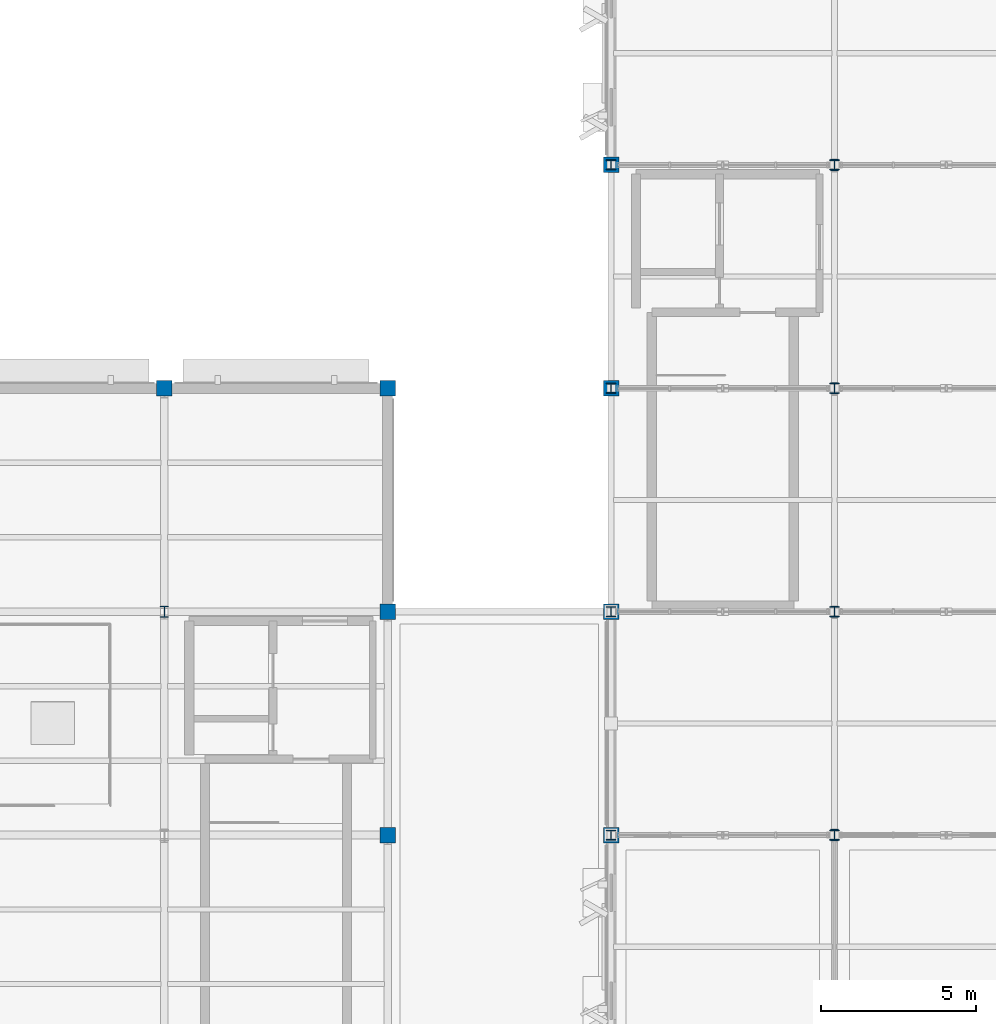
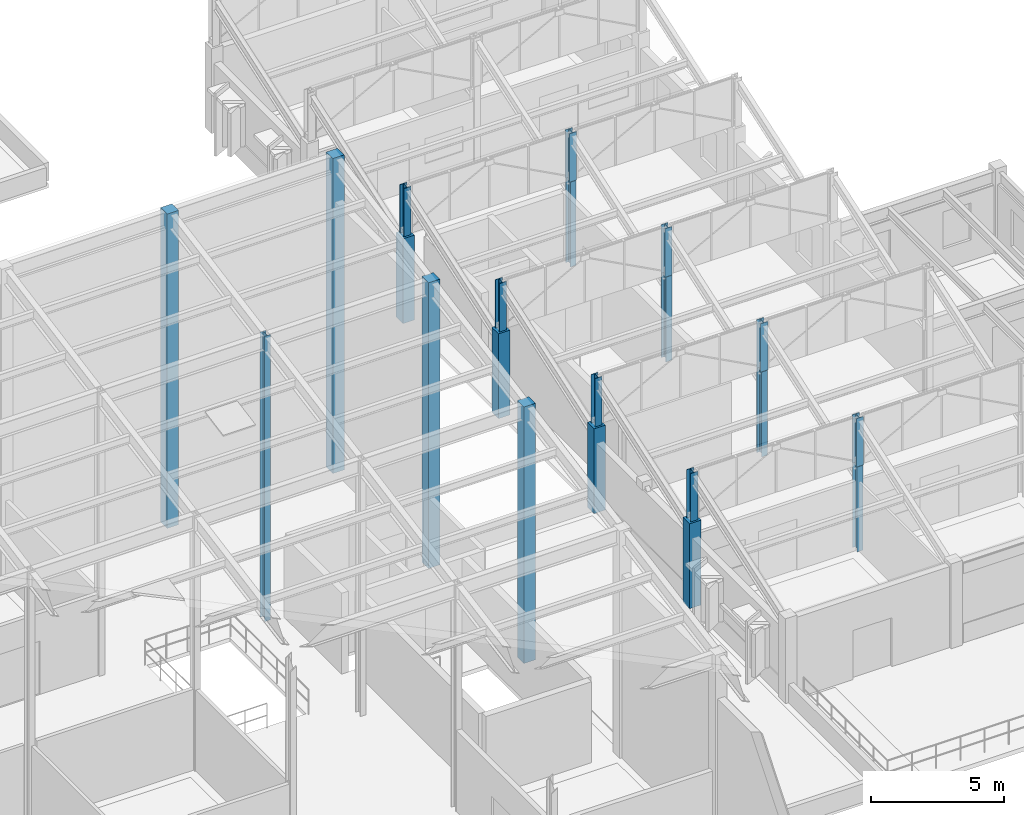
# One storey, part 7 of 82: 21 columns.
"""IFC4 building model written with IfcOpenShell, lengths in metres."""

import ifcopenshell
import ifcopenshell.guid

model = None  # the IFC model being written
_history = None  # IfcOwnerHistory: only IFC2X3 demands one
_inside = {}  # id of a spatial element -> (the spatial element, [elements in it])
_under = {}  # id of a project, library or spatial element -> (it, [spatial elements below it])
_declared = {}  # id of a project -> (the project, [libraries it declares])
_typed = {}  # id of a type object -> (the type object, [elements of that type])
_made_of = {}  # id of a material, layer set ... -> (it, [elements and type objects made of it])


def new_model(schema):
    """Start an empty IFC model of exactly this schema.

    Asked for "IFC4X3", IfcOpenShell would pick the latest addendum, in which some entities
    have other attributes; the version numbers below select the first issue.
    IFC2X3 requires an IfcOwnerHistory on every rooted entity: one is made here for all.
    """
    global model, _history
    if schema == "IFC4X3":
        model = ifcopenshell.file(schema_version=(4, 3, 0, 0))
    else:
        model = ifcopenshell.file(schema=schema)
    _inside.clear()
    _under.clear()
    _declared.clear()
    _typed.clear()
    _made_of.clear()
    _history = None
    if model.schema == "IFC2X3":
        org = make("IfcOrganization", Name="unknown")
        user = make(
            "IfcPersonAndOrganization",
            ThePerson=make("IfcPerson", FamilyName="unknown"),
            TheOrganization=org,
        )
        app = make(
            "IfcApplication",
            ApplicationDeveloper=org,
            Version="unknown",
            ApplicationFullName="unknown",
            ApplicationIdentifier="unknown",
        )
        _history = make(
            "IfcOwnerHistory",
            OwningUser=user,
            OwningApplication=app,
            ChangeAction="ADDED",
            CreationDate=0,
        )
    return model


def make(cls, **values):
    """One entity of the class cls with the attributes given. An attribute that is None is left unset."""
    return model.create_entity(
        cls, **{name: value for name, value in values.items() if value is not None}
    )


def rooted(cls, **values):
    """An entity with a GlobalId (a new one), such as an element, a storey or a relation."""
    return make(cls, GlobalId=ifcopenshell.guid.new(), OwnerHistory=_history, **values)


def si_unit(unit_type, name, prefix=None):
    """IfcSIUnit, for example si_unit("LENGTHUNIT", "METRE", prefix="MILLI")."""
    return make("IfcSIUnit", UnitType=unit_type, Prefix=prefix, Name=name)


def assignment(units):
    """IfcUnitAssignment: the units of a project."""
    return None if units is None else make("IfcUnitAssignment", Units=units)


def point(xyz):
    """IfcCartesianPoint."""
    return None if xyz is None else make("IfcCartesianPoint", Coordinates=xyz)


def direction(xyz):
    """IfcDirection."""
    return None if xyz is None else make("IfcDirection", DirectionRatios=xyz)


def frame(location, z_axis=None, x_axis=None):
    """IfcAxis2Placement3D, a coordinate frame: its origin and axes. An axis left out is left unset."""
    return make(
        "IfcAxis2Placement3D",
        Location=point(location),
        Axis=direction(z_axis),
        RefDirection=direction(x_axis),
    )


def frame_2d(location, x_axis=None):
    """IfcAxis2Placement2D, a coordinate frame in the plane: its origin and x axis."""
    return make(
        "IfcAxis2Placement2D", Location=point(location), RefDirection=direction(x_axis)
    )


def origin():
    """The frame at (0, 0, 0) with its axes left unset."""
    return frame((0.0, 0.0, 0.0))


def origin_2d():
    """The frame at (0, 0) in the plane with its x axis left unset."""
    return frame_2d((0.0, 0.0))


def place(relative_to, where):
    """IfcLocalPlacement: puts the frame where relative to a parent placement (None: the world)."""
    return make(
        "IfcLocalPlacement", PlacementRelTo=relative_to, RelativePlacement=where
    )


def context(
    kind, dimensions, precision=None, world=None, true_north=None, identifier=None
):
    """IfcGeometricRepresentationContext, for example the 3D "Model" context."""
    return make(
        "IfcGeometricRepresentationContext",
        ContextIdentifier=identifier,
        ContextType=kind,
        CoordinateSpaceDimension=dimensions,
        Precision=precision,
        WorldCoordinateSystem=world,
        TrueNorth=true_north,
    )


def subcontext(parent, identifier, kind, view, scale=None):
    """IfcGeometricRepresentationSubContext, for example "Body" below "Model"."""
    return make(
        "IfcGeometricRepresentationSubContext",
        ContextIdentifier=identifier,
        ContextType=kind,
        ParentContext=parent,
        TargetScale=scale,
        TargetView=view,
    )


def project(units=None, contexts=None):
    """IfcProject with its units and contexts."""
    return rooted(
        "IfcProject",
        Name="project",
        RepresentationContexts=contexts,
        UnitsInContext=assignment(units),
    )


def spatial(cls, under=None, at=None, **own):
    """A site, building, storey or space (cls), placed at a placement, below another one or the project."""
    s = rooted(cls, ObjectPlacement=at, **own)
    if under is not None:
        _under.setdefault(under.id(), (under, []))[1].append(s)
    return s


def profile(cls, at=None, kind="AREA", **sizes):
    """A parametric profile (cls). Its sizes go by their IFC names, for example OverallWidth=200.0."""
    return make(cls, ProfileType=kind, Position=at, **sizes)


def rectangle(**sizes):
    """IfcRectangleProfileDef."""
    return profile("IfcRectangleProfileDef", **sizes)


def i_section(**sizes):
    """IfcIShapeProfileDef."""
    return profile("IfcIShapeProfileDef", **sizes)


def extrude(swept, where, along, depth):
    """IfcExtrudedAreaSolid: the profile swept, set in the frame where, extruded along a direction by depth."""
    return make(
        "IfcExtrudedAreaSolid",
        SweptArea=swept,
        Position=where,
        ExtrudedDirection=direction(along),
        Depth=depth,
    )


def shape(context_of_items, identifier, shape_type, items):
    """IfcShapeRepresentation: the items that make up one representation, for example the "Body"."""
    return make(
        "IfcShapeRepresentation",
        ContextOfItems=context_of_items,
        RepresentationIdentifier=identifier,
        RepresentationType=shape_type,
        Items=items,
    )


def material(Name=None, Category=None):
    """IfcMaterial."""
    return make("IfcMaterial", Name=Name, Category=Category)


def material_profile(
    of_material, cross_section, Name=None, Category=None, Priority=None
):
    """IfcMaterialProfile: a cross section and its material."""
    return make(
        "IfcMaterialProfile",
        Name=Name,
        Material=of_material,
        Profile=cross_section,
        Priority=Priority,
        Category=Category,
    )


def profile_set(profiles, Name=None, composite=None):
    """IfcMaterialProfileSet."""
    return make(
        "IfcMaterialProfileSet",
        Name=Name,
        MaterialProfiles=profiles,
        CompositeProfile=composite,
    )


def made_of(thing, what):
    """Note that an element or type object is made of a material, layer set ...; save() writes the relation."""
    if what is not None:
        _made_of.setdefault(what.id(), (what, []))[1].append(thing)
    return thing


def type_object(cls, material=None, **own):
    """A type object (cls), such as IfcWallType, which elements share."""
    return made_of(rooted(cls, **own), material)


def element(
    cls,
    number,
    at=None,
    inside=None,
    cuts=None,
    type_object=None,
    material=None,
    context=None,
    identifier="Body",
    shape_type=None,
    held_by="IfcProductDefinitionShape",
    body=None,
    shapes=None,
    **own,
):
    """One element of the class cls, such as IfcWall. Its Tag is "e" and its number.

    at: its placement. inside: the storey or other place that contains it. cuts: it is an
    opening in that element (IfcRelVoidsElement). A single representation is given by context,
    identifier, shape_type and body (its items); several are given by shapes. held_by: the class
    of the entity that holds the representations. save() writes the other relations.
    """
    e = rooted(cls, Tag="e%d" % number, ObjectPlacement=at, **own)
    if body is not None:
        shapes = [shape(context, identifier, shape_type, body)]
    if shapes is not None:
        e.Representation = make(held_by, Representations=shapes)
    if inside is not None:
        _inside.setdefault(inside.id(), (inside, []))[1].append(e)
    if cuts is not None:
        rooted(
            "IfcRelVoidsElement", RelatingBuildingElement=cuts, RelatedOpeningElement=e
        )
    if type_object is not None:
        _typed.setdefault(type_object.id(), (type_object, []))[1].append(e)
    return made_of(e, material)


def aggregate(whole, parts):
    """IfcRelAggregates: a whole, such as a stair, and the parts it consists of."""
    return rooted("IfcRelAggregates", RelatingObject=whole, RelatedObjects=parts)


def save(model, path):
    """Write the relations noted so far, then the file.

    IfcRelAggregates (storeys below a building ...), IfcRelContainedInSpatialStructure (elements
    in a storey), IfcRelDefinesByType, IfcRelAssociatesMaterial and IfcRelDeclares: one each for
    every whole, place, type object, material and project.
    """
    for whole, parts in _under.values():
        aggregate(whole, parts)
    for where, things in _inside.values():
        rooted(
            "IfcRelContainedInSpatialStructure",
            RelatedElements=things,
            RelatingStructure=where,
        )
    for kind, things in _typed.values():
        rooted("IfcRelDefinesByType", RelatedObjects=things, RelatingType=kind)
    for what, things in _made_of.values():
        rooted("IfcRelAssociatesMaterial", RelatedObjects=things, RelatingMaterial=what)
    for by, libraries in _declared.values():
        rooted("IfcRelDeclares", RelatingContext=by, RelatedDefinitions=libraries)
    model.write(path)


model = new_model("IFC4")

# Units and contexts
model_context = context("Model", 3, precision=1e-05, world=origin(), true_north=direction((0.0, 1.0)))
body_context = subcontext(model_context, "Body", "Model", "MODEL_VIEW")
ifc_project = project(units=[si_unit("LENGTHUNIT", "METRE"), si_unit("AREAUNIT", "SQUARE_METRE"), si_unit("VOLUMEUNIT", "CUBIC_METRE"), si_unit("PLANEANGLEUNIT", "RADIAN"), si_unit("MASSUNIT", "GRAM", prefix="KILO")], contexts=[model_context])

# Site, building, storey
site_placement = place(None, origin())
site = spatial("IfcSite", under=ifc_project, at=site_placement, CompositionType="ELEMENT")
building_placement = place(site_placement, origin())
building = spatial("IfcBuilding", under=site, at=building_placement, Name="Sillqori Civic Hall", CompositionType="ELEMENT")
storey_placement = place(building_placement, frame((0.0, 0.0, 14.10009765625)))
storey = spatial("IfcBuildingStorey", under=building, at=storey_placement, Name="L04", CompositionType="ELEMENT", Elevation=14.10009765625)

# Columns
ifc_material_1 = material(Name="Concrete C35/45 (H35)", Category="concrete")
ifc_material_profile_1 = material_profile(ifc_material_1, rectangle(XDim=0.5, YDim=0.5, at=origin_2d()), Name="RC 500x500")
ifc_profile_set_1 = profile_set([ifc_material_profile_1], Name="Concrete C35/45 (H35)")
column_type_1 = type_object("IfcColumnType", Name="COL-RC500", PredefinedType="COLUMN", material=ifc_profile_set_1)
column_1_placement = place(storey_placement, frame((108.0, 57.60009765625, 0.0), z_axis=(0.0, 0.0, 1.0), x_axis=(1.0, 0.0, 0.0)))
element("IfcColumn", 1, at=column_1_placement, inside=storey, type_object=column_type_1, Name="L04 column 15-8", PredefinedType="COLUMN", context=body_context, shape_type="SweptSolid", body=[
    extrude(rectangle(XDim=0.5, YDim=0.5, at=origin_2d()), origin(), (0.0, 0.0, 1.0), 14.447509765625),
])
column_2_placement = place(storey_placement, frame((115.199951171875, 43.199951171875, 0.0), z_axis=(0.0, 0.0, 1.0), x_axis=(1.0, 0.0, 0.0)))
element("IfcColumn", 2, at=column_2_placement, inside=storey, type_object=column_type_1, Name="L04 column 16-6", PredefinedType="COLUMN", context=body_context, shape_type="SweptSolid", body=[
    extrude(rectangle(XDim=0.5, YDim=0.5, at=origin_2d()), origin(), (0.0, 0.0, 1.0), 11.790283203125),
])
column_3_placement = place(storey_placement, frame((115.199951171875, 50.39990234375, 0.0), z_axis=(0.0, 0.0, 1.0), x_axis=(1.0, 0.0, 0.0)))
element("IfcColumn", 3, at=column_3_placement, inside=storey, type_object=column_type_1, Name="L04 column 16-7", PredefinedType="COLUMN", context=body_context, shape_type="SweptSolid", body=[
    extrude(rectangle(XDim=0.5, YDim=0.5, at=origin_2d()), origin(), (0.0, 0.0, 1.0), 13.13330078125),
])
column_4_placement = place(storey_placement, frame((115.199951171875, 57.60009765625, 0.0), z_axis=(0.0, 0.0, 1.0), x_axis=(1.0, 0.0, 0.0)))
element("IfcColumn", 4, at=column_4_placement, inside=storey, type_object=column_type_1, Name="L04 column 16-8", PredefinedType="COLUMN", context=body_context, shape_type="SweptSolid", body=[
    extrude(rectangle(XDim=0.5, YDim=0.5, at=origin_2d()), origin(), (0.0, 0.0, 1.0), 14.47607421875),
])
for number, where, z_axis, x_axis, name in (
    (5, (122.39990234375, 43.199951171875, 0.0), (0.0, 0.0, 1.0), (1.0, 0.0, 0.0), "L04 column 17-6"),
    (6, (122.39990234375, 50.39990234375, 0.0), (0.0, 0.0, 1.0), (1.0, 0.0, 0.0), "L04 column 17-7"),
    (7, (122.39990234375, 57.60009765625, 0.0), (0.0, 0.0, 1.0), (1.0, 0.0, 0.0), "L04 column 17-8"),
    (8, (122.39990234375, 64.800048828125, 0.0), (0.0, 0.0, 1.0), (1.0, 0.0, 0.0), "L04 column 17-9"),
):
    element("IfcColumn", number, at=place(storey_placement, frame(where, z_axis=z_axis, x_axis=x_axis)), inside=storey, type_object=column_type_1, Name=name, PredefinedType="COLUMN", context=body_context, shape_type="SweptSolid", body=[
        extrude(rectangle(XDim=0.5, YDim=0.5, at=origin_2d()), origin(), (0.0, 0.0, 1.0), 3.89990234375),
    ])
ifc_material_2 = material(Name="Steel ASTM A992", Category="steel")
ifc_material_profile_2 = material_profile(ifc_material_2, i_section(OverallWidth=0.30908203125, OverallDepth=0.322998046875, WebThickness=0.013916015625, FlangeThickness=0.02294921875, FilletRadius=0.014892578125, at=origin_2d()), Name="W12X96")
ifc_profile_set_2 = profile_set([ifc_material_profile_2], Name="Steel ASTM A992")
column_type_2 = type_object("IfcColumnType", Name="COL-W12X96", PredefinedType="COLUMN", material=ifc_profile_set_2)
for number, where, z_axis, x_axis, name in (
    (9, (122.39990234375, 43.199951171875, 3.89990234375), (0.0, 0.0, 1.0), (1.0, 0.0, 0.0), "Clerestory ridge post 17-5"),
    (10, (129.60009765625, 43.199951171875, 3.89990234375), (0.0, 0.0, 1.0), (1.0, 0.0, 0.0), "Clerestory ridge post 18-5"),
    (11, (122.39990234375, 50.39990234375, 3.89990234375), (0.0, 0.0, 1.0), (1.0, 0.0, 0.0), "Clerestory ridge post 17-6"),
    (12, (129.60009765625, 50.39990234375, 3.89990234375), (0.0, 0.0, 1.0), (1.0, 0.0, 0.0), "Clerestory ridge post 18-6"),
    (13, (122.39990234375, 57.60009765625, 3.89990234375), (0.0, 0.0, 1.0), (1.0, 0.0, 0.0), "Clerestory ridge post 17-7"),
    (14, (129.60009765625, 57.60009765625, 3.89990234375), (0.0, 0.0, 1.0), (1.0, 0.0, 0.0), "Clerestory ridge post 18-7"),
    (15, (122.39990234375, 64.800048828125, 3.89990234375), (0.0, 0.0, 1.0), (1.0, 0.0, 0.0), "Clerestory ridge post 17-8"),
    (16, (129.60009765625, 64.800048828125, 3.89990234375), (0.0, 0.0, 1.0), (1.0, 0.0, 0.0), "Clerestory ridge post 18-8"),
):
    element("IfcColumn", number, at=place(storey_placement, frame(where, z_axis=z_axis, x_axis=x_axis)), inside=storey, type_object=column_type_2, Name=name, PredefinedType="COLUMN", context=body_context, shape_type="SweptSolid", body=[
        extrude(i_section(OverallWidth=0.30908203125, OverallDepth=0.322998046875, WebThickness=0.013916015625, FlangeThickness=0.02294921875, FilletRadius=0.014892578125, at=origin_2d()), origin(), (0.0, 0.0, 1.0), 2.219970703125),
    ])
ifc_material_profile_3 = material_profile(ifc_material_2, i_section(OverallWidth=0.257080078125, OverallDepth=0.363037109375, WebThickness=0.012939453125, FlangeThickness=0.021728515625, FilletRadius=0.014892578125, at=origin_2d()), Name="W14X82")
ifc_profile_set_3 = profile_set([ifc_material_profile_3], Name="Steel ASTM A992")
column_type_3 = type_object("IfcColumnType", Name="COL-W14X82", PredefinedType="COLUMN", material=ifc_profile_set_3)
column_5_placement = place(storey_placement, frame((108.0, 50.39990234375, 0.0), z_axis=(0.0, 0.0, 1.0), x_axis=(1.0, 0.0, 0.0)))
element("IfcColumn", 17, at=column_5_placement, inside=storey, type_object=column_type_3, Name="L04 column 15-7", PredefinedType="COLUMN", context=body_context, shape_type="SweptSolid", body=[
    extrude(i_section(OverallWidth=0.257080078125, OverallDepth=0.363037109375, WebThickness=0.012939453125, FlangeThickness=0.021728515625, FilletRadius=0.014892578125, at=origin_2d()), origin(), (0.0, 0.0, 1.0), 13.104736328125),
])
for number, where, z_axis, x_axis, name in (
    (18, (129.60009765625, 43.199951171875, 0.0), (0.0, 0.0, 1.0), (1.0, 0.0, 0.0), "L04 column 18-6"),
    (19, (129.60009765625, 50.39990234375, 0.0), (0.0, 0.0, 1.0), (1.0, 0.0, 0.0), "L04 column 18-7"),
    (20, (129.60009765625, 57.60009765625, 0.0), (0.0, 0.0, 1.0), (1.0, 0.0, 0.0), "L04 column 18-8"),
    (21, (129.60009765625, 64.800048828125, 0.0), (0.0, 0.0, 1.0), (1.0, 0.0, 0.0), "L04 column 18-9"),
):
    element("IfcColumn", number, at=place(storey_placement, frame(where, z_axis=z_axis, x_axis=x_axis)), inside=storey, type_object=column_type_3, Name=name, PredefinedType="COLUMN", context=body_context, shape_type="SweptSolid", body=[
        extrude(i_section(OverallWidth=0.257080078125, OverallDepth=0.363037109375, WebThickness=0.012939453125, FlangeThickness=0.021728515625, FilletRadius=0.014892578125, at=origin_2d()), origin(), (0.0, 0.0, 1.0), 3.89990234375),
    ])

save(model, "model.ifc")
